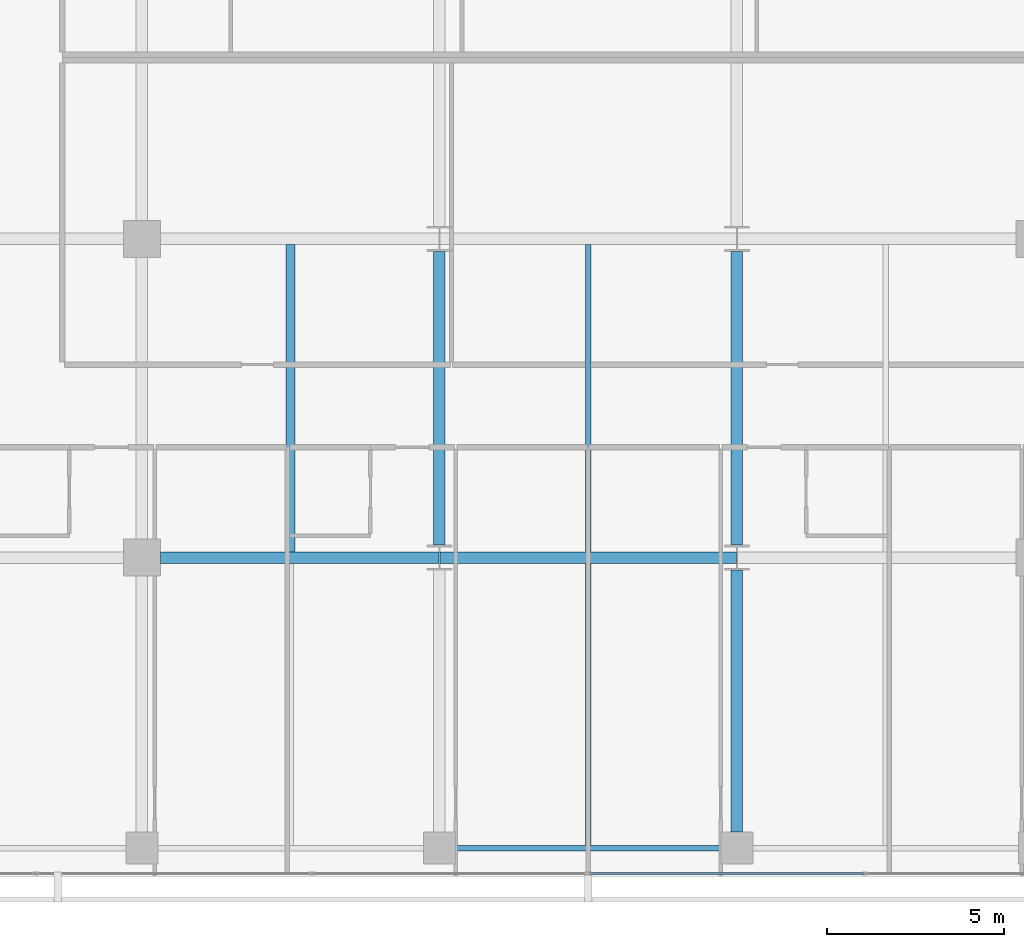
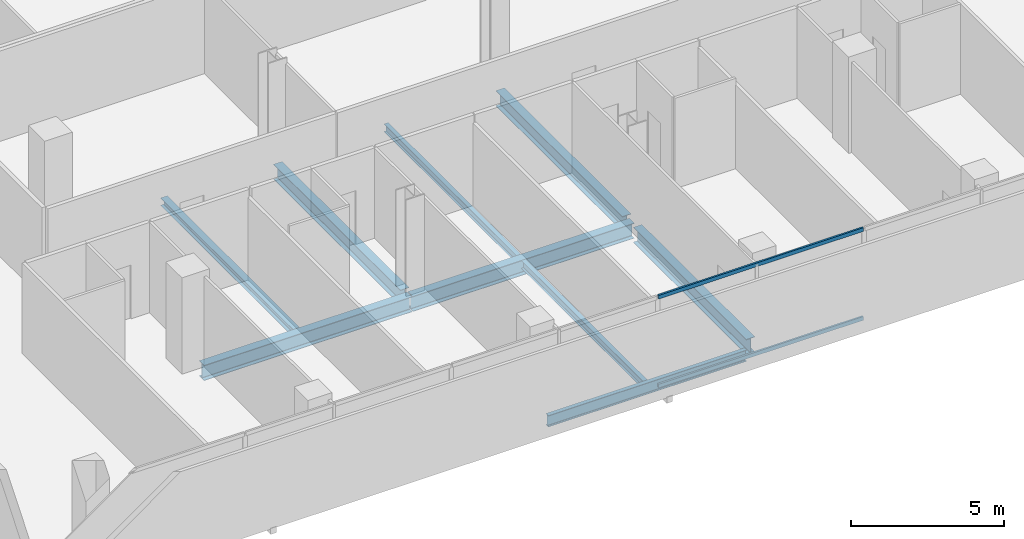
# One storey, part 9 of 40: 9 beams, 2 members, 1 element without a shape of its own.
"""IFC4 building model written with IfcOpenShell, lengths in metres."""

from ifc_helpers import new_model, si_unit, direction, frame, origin, origin_2d, place, context, subcontext, project, spatial, hollow_rectangle, i_section, extrude, material, layer, layer_set, material_profile, profile_set, type_object, element, aggregate, save


model = new_model("IFC4")

# Units and contexts
model_context = context("Model", 3, precision=1e-05, world=origin(), true_north=direction((0.0, 1.0)))
body_context = subcontext(model_context, "Body", "Model", "MODEL_VIEW")
ifc_project = project(units=[si_unit("LENGTHUNIT", "METRE"), si_unit("AREAUNIT", "SQUARE_METRE"), si_unit("VOLUMEUNIT", "CUBIC_METRE"), si_unit("PLANEANGLEUNIT", "RADIAN"), si_unit("MASSUNIT", "GRAM", prefix="KILO")], contexts=[model_context])

# Site, building, storey
site_placement = place(None, origin())
site = spatial("IfcSite", under=ifc_project, at=site_placement, CompositionType="ELEMENT")
building_placement = place(site_placement, origin())
building = spatial("IfcBuilding", under=site, at=building_placement, Name="Maruvema Waterfront Hotel and Observation Tower", CompositionType="ELEMENT")
storey_placement = place(building_placement, frame((0.0, 0.0, 92.39990234375)))
storey = spatial("IfcBuildingStorey", under=building, at=storey_placement, Name="L22", CompositionType="ELEMENT", Elevation=92.39990234375)

# Curtain wall, members
ifc_material_1 = material(Name="Anodised bronze aluminium and solar-control low-E IGU", Category="aluminium")
ifc_layer = layer(ifc_material_1, 0.159912109375, Name="Zone 1 Bronze Inner Thermal Curtain Wall System CW-02")
ifc_layer_set = layer_set([ifc_layer], Name="Anodised bronze aluminium and solar-control low-E IGU")
curtain_wall_type = type_object("IfcCurtainWallType", Name="Zone 1 Bronze Inner Thermal Curtain Wall System CW-02", PredefinedType="USERDEFINED", material=ifc_layer_set)
curtain_wall_placement = place(storey_placement, origin())
curtain_wall = element("IfcCurtainWall", 1, at=curtain_wall_placement, inside=storey, type_object=curtain_wall_type, Name="L22 Curtain Wall CW-L22-S", ObjectType="UNITISED CURTAIN WALL", PredefinedType="USERDEFINED")
ifc_material_2 = material(Name="Anodised architectural bronze aluminium", Category="aluminium")
ifc_material_profile_1 = material_profile(ifc_material_2, hollow_rectangle(XDim=0.070068359375, YDim=0.14990234375, WallThickness=0.00390625, at=origin_2d()), Name="ALU-T70x150")
ifc_profile_set_1 = profile_set([ifc_material_profile_1], Name="Anodised architectural bronze aluminium")
member_type = type_object("IfcMemberType", Name="Curtain Wall Horizontal Transom ALU-T70x150", PredefinedType="USERDEFINED", material=ifc_profile_set_1)
member_1_placement = place(storey_placement, frame((37.830078125, 0.080078125, 0.030029296875), z_axis=(1.0, 0.0, 0.0), x_axis=(0.0, 1.0, 0.0)))
member_1 = element("IfcMember", 2, at=member_1_placement, type_object=member_type, Name="CW-02 transom 4.1", ObjectType="TRANSOM", PredefinedType="USERDEFINED", context=body_context, shape_type="SweptSolid", body=[
    extrude(hollow_rectangle(XDim=0.070068359375, YDim=0.14990234375, WallThickness=0.00390625, at=origin_2d()), origin(), (0.0, 0.0, 1.0), 7.739990234375),
])
member_2_placement = place(storey_placement, frame((37.830078125, 0.080078125, 3.580078125), z_axis=(1.0, 0.0, 0.0), x_axis=(0.0, 1.0, 0.0)))
member_2 = element("IfcMember", 3, at=member_2_placement, type_object=member_type, Name="CW-02 transom 4.2", ObjectType="TRANSOM", PredefinedType="USERDEFINED", context=body_context, shape_type="SweptSolid", body=[
    extrude(hollow_rectangle(XDim=0.070068359375, YDim=0.14990234375, WallThickness=0.00390625, at=origin_2d()), origin(), (0.0, 0.0, 1.0), 7.739990234375),
])
aggregate(curtain_wall, [member_1, member_2])

# Beams
ifc_material_3 = material(Name="Steel ASTM A572 Grade 50", Category="steel")
ifc_material_profile_2 = material_profile(ifc_material_3, i_section(OverallWidth=0.153076171875, OverallDepth=0.455078125, WebThickness=0.008056640625, FlangeThickness=0.01318359375, FilletRadius=0.014892578125, at=origin_2d()), Name="W460x60.0")
ifc_profile_set_2 = profile_set([ifc_material_profile_2], Name="Steel ASTM A572 Grade 50")
beam_type_1 = type_object("IfcBeamType", Name="Perimeter Spandrel Beam W460x60.0", PredefinedType="SPANDREL", material=ifc_profile_set_2)
beam_1_placement = place(storey_placement, frame((34.050048828125, 0.800048828125, -0.46728515625), z_axis=(1.0, 0.0, 0.0), x_axis=(0.0, 1.0, 0.0)))
element("IfcBeam", 4, at=beam_1_placement, inside=storey, type_object=beam_type_1, Name="L22 Floor Girder EW-03", PredefinedType="SPANDREL", context=body_context, shape_type="SweptSolid", body=[
    extrude(i_section(OverallWidth=0.153076171875, OverallDepth=0.455078125, WebThickness=0.008056640625, FlangeThickness=0.01318359375, FilletRadius=0.014892578125, at=origin_2d()), origin(), (0.0, 0.0, 1.0), 7.5),
])
ifc_material_4 = material(Name="Steel ASTM A572 Grade 50", Category="steel")
ifc_material_profile_3 = material_profile(ifc_material_4, i_section(OverallWidth=0.323974609375, OverallDepth=0.611083984375, WebThickness=0.0126953125, FlangeThickness=0.01904296875, FilletRadius=0.01806640625, at=origin_2d()), Name="W610x155.0")
ifc_profile_set_3 = profile_set([ifc_material_profile_3], Name="Steel ASTM A572 Grade 50")
beam_type_2 = type_object("IfcBeamType", Name="Primary Floor Girder W610x155.0", PredefinedType="BEAM", material=ifc_profile_set_3)
beam_2_placement = place(storey_placement, frame((25.72509765625, 9.0, -0.54541015625), z_axis=(1.0, 0.0, 0.0), x_axis=(0.0, 1.0, 0.0)))
element("IfcBeam", 5, at=beam_2_placement, inside=storey, type_object=beam_type_2, Name="L22 Floor Girder EW-08", PredefinedType="BEAM", context=body_context, shape_type="SweptSolid", body=[
    extrude(i_section(OverallWidth=0.323974609375, OverallDepth=0.611083984375, WebThickness=0.0126953125, FlangeThickness=0.01904296875, FilletRadius=0.01806640625, at=origin_2d()), origin(), (0.0, 0.0, 1.0), 7.86083984375),
])
beam_3_placement = place(storey_placement, frame((33.614013671875, 9.0, -0.54541015625), z_axis=(1.0, 0.0, 0.0), x_axis=(0.0, 1.0, 0.0)))
element("IfcBeam", 6, at=beam_3_placement, inside=storey, type_object=beam_type_2, Name="L22 Floor Girder EW-09", PredefinedType="BEAM", context=body_context, shape_type="SweptSolid", body=[
    extrude(i_section(OverallWidth=0.323974609375, OverallDepth=0.611083984375, WebThickness=0.0126953125, FlangeThickness=0.01904296875, FilletRadius=0.01806640625, at=origin_2d()), origin(), (0.0, 0.0, 1.0), 8.3720703125),
])
beam_4_placement = place(storey_placement, frame((33.60009765625, 9.35009765625, -0.54541015625), z_axis=(0.0, 1.0, 0.0), x_axis=(-1.0, 0.0, 0.0)))
element("IfcBeam", 7, at=beam_4_placement, inside=storey, type_object=beam_type_2, Name="L22 Floor Girder NS-17", PredefinedType="BEAM", context=body_context, shape_type="SweptSolid", body=[
    extrude(i_section(OverallWidth=0.323974609375, OverallDepth=0.611083984375, WebThickness=0.0126953125, FlangeThickness=0.01904296875, FilletRadius=0.01806640625, at=origin_2d()), origin(), (0.0, 0.0, 1.0), 8.2998046875),
])
beam_5_placement = place(storey_placement, frame((42.0, 1.25, -0.54541015625), z_axis=(0.0, 1.0, 0.0), x_axis=(-1.0, 0.0, 0.0)))
element("IfcBeam", 8, at=beam_5_placement, inside=storey, type_object=beam_type_2, Name="L22 Floor Girder NS-19", PredefinedType="BEAM", context=body_context, shape_type="SweptSolid", body=[
    extrude(i_section(OverallWidth=0.323974609375, OverallDepth=0.611083984375, WebThickness=0.0126953125, FlangeThickness=0.01904296875, FilletRadius=0.01806640625, at=origin_2d()), origin(), (0.0, 0.0, 1.0), 7.39990234375),
])
beam_6_placement = place(storey_placement, frame((42.0, 9.35009765625, -0.54541015625), z_axis=(0.0, 1.0, 0.0), x_axis=(-1.0, 0.0, 0.0)))
element("IfcBeam", 9, at=beam_6_placement, inside=storey, type_object=beam_type_2, Name="L22 Floor Girder NS-20", PredefinedType="BEAM", context=body_context, shape_type="SweptSolid", body=[
    extrude(i_section(OverallWidth=0.323974609375, OverallDepth=0.611083984375, WebThickness=0.0126953125, FlangeThickness=0.01904296875, FilletRadius=0.01806640625, at=origin_2d()), origin(), (0.0, 0.0, 1.0), 8.2998046875),
])
ifc_material_5 = material(Name="Steel ASTM A572 Grade 50", Category="steel")
ifc_material_profile_4 = material_profile(ifc_material_5, i_section(OverallWidth=0.1650390625, OverallDepth=0.31005859375, WebThickness=0.005859375, FlangeThickness=0.009765625, FilletRadius=0.012939453125, at=origin_2d()), Name="W310x38.7")
ifc_profile_set_4 = profile_set([ifc_material_profile_4], Name="Steel ASTM A572 Grade 50")
beam_type_3 = type_object("IfcBeamType", Name="Secondary Floor Joist W310x38.7", PredefinedType="JOIST", material=ifc_profile_set_4)
beam_7_placement = place(storey_placement, frame((37.800048828125, 9.162109375, -0.39501953125), z_axis=(0.0, 1.0, 0.0), x_axis=(-1.0, 0.0, 0.0)))
element("IfcBeam", 10, at=beam_7_placement, inside=storey, type_object=beam_type_3, Name="L22 Secondary Floor Joist JS-13", PredefinedType="JOIST", context=body_context, shape_type="SweptSolid", body=[
    extrude(i_section(OverallWidth=0.1650390625, OverallDepth=0.31005859375, WebThickness=0.005859375, FlangeThickness=0.009765625, FilletRadius=0.012939453125, at=origin_2d()), origin(), (0.0, 0.0, 1.0), 8.67578125),
])
ifc_material_6 = material(Name="Steel ASTM A572 Grade 50", Category="steel")
ifc_material_profile_5 = material_profile(ifc_material_6, i_section(OverallWidth=0.1669921875, OverallDepth=0.31689453125, WebThickness=0.007568359375, FlangeThickness=0.01318359375, FilletRadius=0.012939453125, at=origin_2d()), Name="W310x52.0")
ifc_profile_set_5 = profile_set([ifc_material_profile_5], Name="Steel ASTM A572 Grade 50")
beam_type_4 = type_object("IfcBeamType", Name="Secondary Floor Joist W310x52.0", PredefinedType="JOIST", material=ifc_profile_set_5)
beam_8_placement = place(storey_placement, frame((37.800048828125, 0.87646484375, -0.3984375), z_axis=(0.0, 1.0, 0.0), x_axis=(-1.0, 0.0, 0.0)))
element("IfcBeam", 11, at=beam_8_placement, inside=storey, type_object=beam_type_4, Name="L22 Secondary Floor Joist JS-12", PredefinedType="JOIST", context=body_context, shape_type="SweptSolid", body=[
    extrude(i_section(OverallWidth=0.1669921875, OverallDepth=0.31689453125, WebThickness=0.007568359375, FlangeThickness=0.01318359375, FilletRadius=0.012939453125, at=origin_2d()), origin(), (0.0, 0.0, 1.0), 7.96142578125),
])
ifc_material_7 = material(Name="Steel ASTM A572 Grade 50", Category="steel")
ifc_material_profile_6 = material_profile(ifc_material_7, i_section(OverallWidth=0.25390625, OverallDepth=0.305908203125, WebThickness=0.0087890625, FlangeThickness=0.0146484375, FilletRadius=0.014892578125, at=origin_2d()), Name="W310x79.0")
ifc_profile_set_6 = profile_set([ifc_material_profile_6], Name="Steel ASTM A572 Grade 50")
beam_type_5 = type_object("IfcBeamType", Name="Secondary Floor Joist W310x79.0", PredefinedType="JOIST", material=ifc_profile_set_6)
beam_9_placement = place(storey_placement, frame((29.39990234375, 9.162109375, -0.392822265625), z_axis=(0.0, 1.0, 0.0), x_axis=(-1.0, 0.0, 0.0)))
element("IfcBeam", 12, at=beam_9_placement, inside=storey, type_object=beam_type_5, Name="L22 Secondary Floor Joist JS-11", PredefinedType="JOIST", context=body_context, shape_type="SweptSolid", body=[
    extrude(i_section(OverallWidth=0.25390625, OverallDepth=0.305908203125, WebThickness=0.0087890625, FlangeThickness=0.0146484375, FilletRadius=0.014892578125, at=origin_2d()), origin(), (0.0, 0.0, 1.0), 8.67578125),
])

save(model, "model.ifc")
